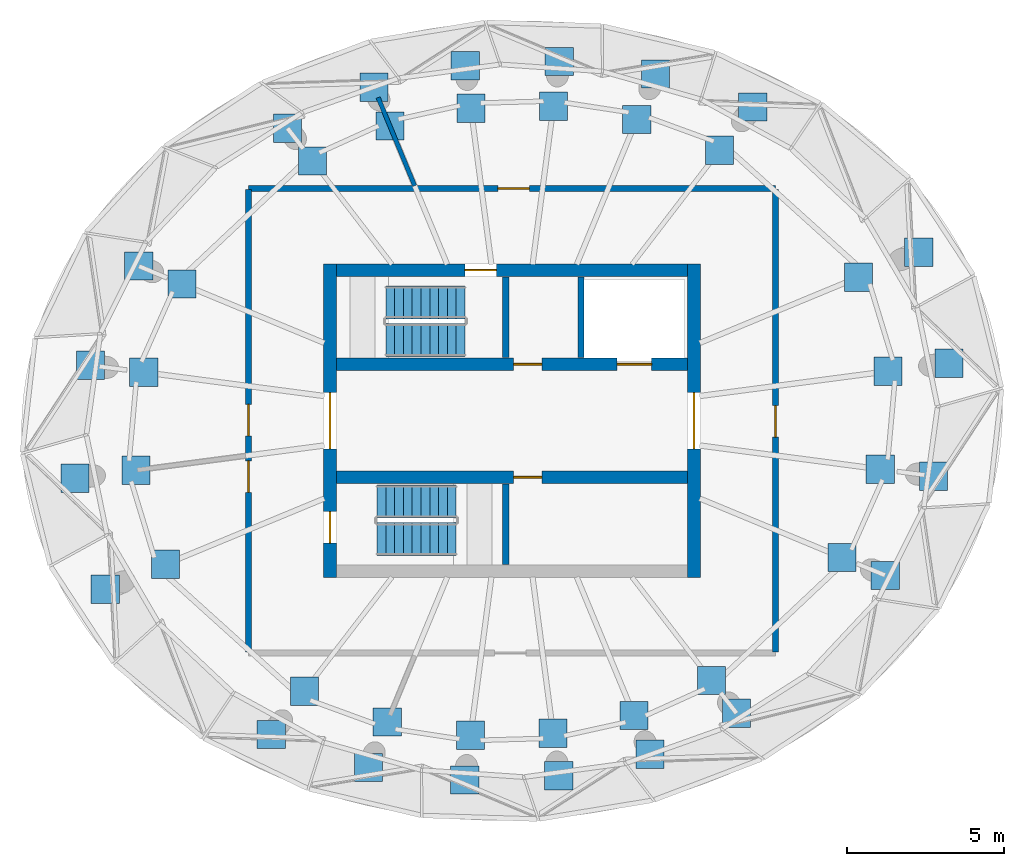
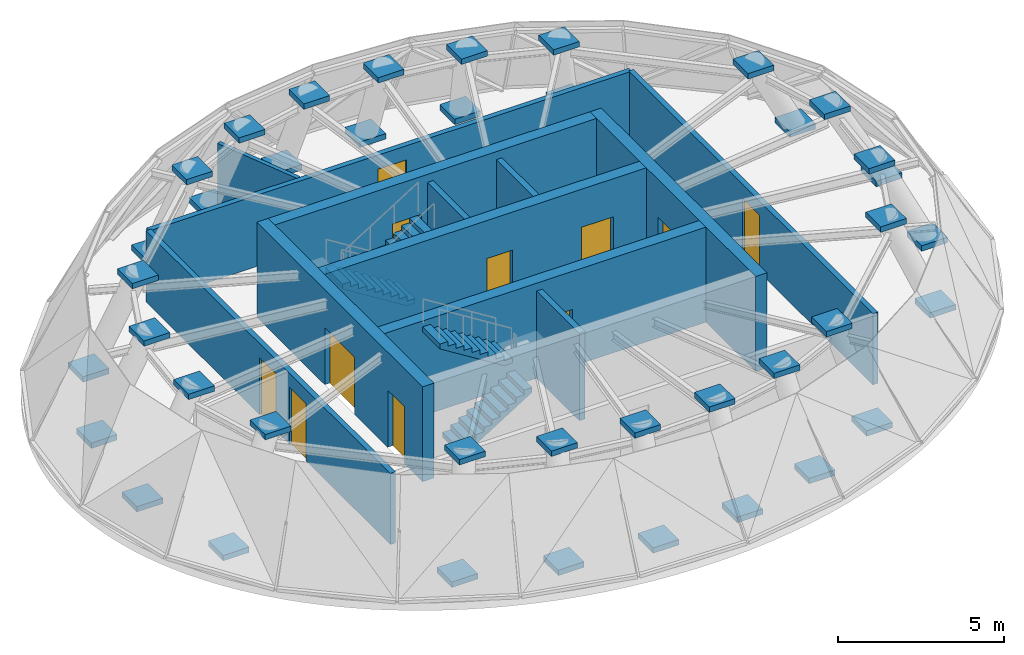
# One storey, part 7 of 8: 40 discrete accessories, 12 walls, 11 doors, 4 stair flights, 11 openings, 2 elements without a shape of their own.
"""IFC4 building model written with IfcOpenShell, lengths in metres."""

from ifc_helpers import new_model, si_unit, direction, frame, frame_2d, origin, origin_2d, place, context, subcontext, project, spatial, line, indexed_curve, rectangle, outline, extrude, source, transform, mapped, material, layer, layer_set, type_object, element, fill, aggregate, save


model = new_model("IFC4")

# Units and contexts
model_context = context("Model", 3, precision=1e-05, world=origin(), true_north=direction((0.0, 1.0)))
body_context = subcontext(model_context, "Body", "Model", "MODEL_VIEW")
ifc_project = project(units=[si_unit("LENGTHUNIT", "METRE"), si_unit("AREAUNIT", "SQUARE_METRE"), si_unit("VOLUMEUNIT", "CUBIC_METRE"), si_unit("PLANEANGLEUNIT", "RADIAN"), si_unit("MASSUNIT", "GRAM", prefix="KILO")], contexts=[model_context])

# Site, building, storey
site_placement = place(None, origin())
site = spatial("IfcSite", under=ifc_project, at=site_placement, CompositionType="ELEMENT")
building_placement = place(site_placement, origin())
building = spatial("IfcBuilding", under=site, at=building_placement, Name="Spindrift Exchange Tower", CompositionType="ELEMENT")
storey_placement = place(building_placement, frame((0.0, 0.0, 280.10009765625)))
storey = spatial("IfcBuildingStorey", under=building, at=storey_placement, Name="L69", CompositionType="ELEMENT", Elevation=280.10009765625)

# Wall, opening, door
ifc_material_1 = material(Name="Concrete 40 MPa", Category="concrete")
ifc_layer_1 = layer(ifc_material_1, 0.39990234375)
ifc_layer_set_1 = layer_set([ifc_layer_1], Name="RC Core Wall 400 Concrete 40 MPa")
wall_type_1 = type_object("IfcWallType", Name="RC Core Wall 400 Concrete 40 MPa", PredefinedType="SHEAR", material=ifc_layer_set_1)
wall_1_placement = place(storey_placement, frame((57.800048828125, 43.0, 0.0), z_axis=(0.0, 0.0, 1.0), x_axis=(0.0, 1.0, 0.0)))
wall_1 = element("IfcWall", 1, at=wall_1_placement, inside=storey, type_object=wall_type_1, Name="Core wall E L69", PredefinedType="SHEAR", context=body_context, shape_type="SweptSolid", body=[
    extrude(rectangle(XDim=10.0, YDim=0.39990234375, at=frame_2d((5.0, 0.0))), origin(), (0.0, 0.0, 1.0), 3.5),
])
opening_1_placement = place(wall_1_placement, frame((4.10009765625, 0.0, 0.0)))
opening_1 = element("IfcOpeningElement", 2, at=opening_1_placement, cuts=wall_1, Name="Opening L69-D2", PredefinedType="OPENING", context=body_context, shape_type="SweptSolid", body=[
    extrude(rectangle(XDim=1.800048828125, YDim=2.10009765625, at=frame_2d((0.89990234375, 1.050048828125))), frame((0.0, 0.2099609375, 0.0), z_axis=(0.0, -1.0, 0.0), x_axis=(1.0, 0.0, 0.0)), (0.0, 0.0, 1.0), 0.419921875),
])
ifc_material_2 = material(Name="Timber-core fire door", Category="wood")
door_type_1 = type_object("IfcDoorType", Name="DR-LOBBY-1800", OperationType="NOTDEFINED", PredefinedType="DOOR", material=ifc_material_2)
shared_shape_1 = source(origin(), body_context, "Body", "SweptSolid", [
    extrude(rectangle(XDim=1.800048828125, YDim=2.10009765625, at=frame_2d((0.89990234375, 1.050048828125))), frame((0.0, 0.02490234375, 0.0), z_axis=(0.0, -1.0, 0.0), x_axis=(1.0, 0.0, 0.0)), (0.0, 0.0, 1.0), 0.050048828125),
])
door_1_placement = place(opening_1_placement, origin())
door_1 = element("IfcDoor", 3, at=door_1_placement, inside=storey, type_object=door_type_1, Name="L69 Lobby door 2", OperationType="SINGLE_SWING_RIGHT", OverallHeight=2.10009765625, OverallWidth=1.800048828125, PredefinedType="DOOR", context=body_context, shape_type="MappedRepresentation", body=[
    mapped(shared_shape_1, transform((0.0, 0.0, 0.0), scale=1.0)),
])
fill(opening_1, door_1)

# Wall, openings, doors
wall_2_placement = place(storey_placement, frame((46.199951171875, 53.0, 0.0), z_axis=(0.0, 0.0, 1.0), x_axis=(0.0, -1.0, 0.0)))
wall_2 = element("IfcWall", 4, at=wall_2_placement, inside=storey, type_object=wall_type_1, Name="Core wall W L69", PredefinedType="SHEAR", context=body_context, shape_type="SweptSolid", body=[
    extrude(rectangle(XDim=10.0, YDim=0.39990234375, at=frame_2d((5.0, 0.0))), origin(), (0.0, 0.0, 1.0), 3.5),
])
opening_2_placement = place(wall_2_placement, frame((4.10009765625, 0.0, 0.0)))
opening_2 = element("IfcOpeningElement", 5, at=opening_2_placement, cuts=wall_2, Name="Opening L69-D1", PredefinedType="OPENING", context=body_context, shape_type="SweptSolid", body=[
    extrude(rectangle(XDim=1.800048828125, YDim=2.10009765625, at=frame_2d((0.89990234375, 1.050048828125))), frame((0.0, 0.2099609375, 0.0), z_axis=(0.0, -1.0, 0.0), x_axis=(1.0, 0.0, 0.0)), (0.0, 0.0, 1.0), 0.419921875),
])
opening_3_placement = place(wall_2_placement, frame((7.89990234375, 0.0, 0.0)))
opening_3 = element("IfcOpeningElement", 6, at=opening_3_placement, cuts=wall_2, Name="Opening L69-D4", PredefinedType="OPENING", context=body_context, shape_type="SweptSolid", body=[
    extrude(rectangle(XDim=1.0, YDim=2.10009765625, at=frame_2d((0.5, 1.050048828125))), frame((0.0, 0.2099609375, 0.0), z_axis=(0.0, -1.0, 0.0), x_axis=(1.0, 0.0, 0.0)), (0.0, 0.0, 1.0), 0.419921875),
])
door_2_placement = place(opening_2_placement, origin())
door_2 = element("IfcDoor", 7, at=door_2_placement, inside=storey, type_object=door_type_1, Name="L69 Lobby door 1", OperationType="SINGLE_SWING_LEFT", OverallHeight=2.10009765625, OverallWidth=1.800048828125, PredefinedType="DOOR", context=body_context, shape_type="MappedRepresentation", body=[
    mapped(shared_shape_1, transform((0.0, 0.0, 0.0), scale=1.0)),
])
fill(opening_2, door_2)
ifc_material_3 = material(Name="Steel fire door", Category="steel")
door_type_2 = type_object("IfcDoorType", Name="DR-STAIR-1000", OperationType="NOTDEFINED", PredefinedType="DOOR", material=ifc_material_3)
shared_shape_2 = source(origin(), body_context, "Body", "SweptSolid", [
    extrude(rectangle(XDim=1.0, YDim=2.10009765625, at=frame_2d((0.5, 1.050048828125))), frame((0.0, 0.02490234375, 0.0), z_axis=(0.0, -1.0, 0.0), x_axis=(1.0, 0.0, 0.0)), (0.0, 0.0, 1.0), 0.050048828125),
])
door_3_placement = place(opening_3_placement, origin())
door_3 = element("IfcDoor", 8, at=door_3_placement, inside=storey, type_object=door_type_2, Name="L69 Stair door 4", OperationType="SINGLE_SWING_RIGHT", OverallHeight=2.10009765625, OverallWidth=1.0, PredefinedType="DOOR", context=body_context, shape_type="MappedRepresentation", body=[
    mapped(shared_shape_2, transform((0.0, 0.0, 0.0), scale=1.0)),
])
fill(opening_3, door_3)

# Wall, opening, door
wall_3_placement = place(storey_placement, frame((57.60009765625, 52.800048828125, 0.0), z_axis=(0.0, 0.0, 1.0), x_axis=(-1.0, 0.0, 0.0)))
wall_3 = element("IfcWall", 9, at=wall_3_placement, inside=storey, type_object=wall_type_1, Name="Core wall N L69", PredefinedType="SHEAR", context=body_context, shape_type="SweptSolid", body=[
    extrude(rectangle(XDim=11.2001953125, YDim=0.39990234375, at=frame_2d((5.60009765625, 0.0))), origin(), (0.0, 0.0, 1.0), 3.5),
])
opening_4_placement = place(wall_3_placement, frame((6.10009765625, 0.0, 0.0)))
opening_4 = element("IfcOpeningElement", 10, at=opening_4_placement, cuts=wall_3, Name="Opening L69-D3", PredefinedType="OPENING", context=body_context, shape_type="SweptSolid", body=[
    extrude(rectangle(XDim=1.0, YDim=2.10009765625, at=frame_2d((0.5, 1.050048828125))), frame((0.0, 0.2099609375, 0.0), z_axis=(0.0, -1.0, 0.0), x_axis=(1.0, 0.0, 0.0)), (0.0, 0.0, 1.0), 0.419921875),
])
door_4_placement = place(opening_4_placement, origin())
door_4 = element("IfcDoor", 11, at=door_4_placement, inside=storey, type_object=door_type_2, Name="L69 Stair door 3", OperationType="SINGLE_SWING_LEFT", OverallHeight=2.10009765625, OverallWidth=1.0, PredefinedType="DOOR", context=body_context, shape_type="MappedRepresentation", body=[
    mapped(shared_shape_2, transform((0.0, 0.0, 0.0), scale=1.0)),
])
fill(opening_4, door_4)

# Wall, openings, doors
ifc_layer_2 = layer(ifc_material_1, 0.39990234375)
ifc_layer_set_2 = layer_set([ifc_layer_2], Name="RC Spine Wall 400 Concrete 40 MPa")
wall_type_2 = type_object("IfcWallType", Name="RC Spine Wall 400 Concrete 40 MPa", PredefinedType="SHEAR", material=ifc_layer_set_2)
wall_4_placement = place(storey_placement, frame((46.39990234375, 49.800048828125, 0.0), z_axis=(0.0, 0.0, 1.0), x_axis=(1.0, 0.0, 0.0)))
wall_4 = element("IfcWall", 12, at=wall_4_placement, inside=storey, type_object=wall_type_2, Name="Core spine wall N L69", PredefinedType="SHEAR", context=body_context, shape_type="SweptSolid", body=[
    extrude(rectangle(XDim=11.2001953125, YDim=0.39990234375, at=frame_2d((5.60009765625, 0.0))), origin(), (0.0, 0.0, 1.0), 3.5),
])
opening_5_placement = place(wall_4_placement, frame((8.949951171875, 0.0, 0.0)))
opening_5 = element("IfcOpeningElement", 13, at=opening_5_placement, cuts=wall_4, Name="Opening L69-D5", PredefinedType="OPENING", context=body_context, shape_type="SweptSolid", body=[
    extrude(rectangle(XDim=1.10009765625, YDim=2.10009765625, at=frame_2d((0.550048828125, 1.050048828125))), frame((0.0, 0.2099609375, 0.0), z_axis=(0.0, -1.0, 0.0), x_axis=(1.0, 0.0, 0.0)), (0.0, 0.0, 1.0), 0.419921875),
])
opening_6_placement = place(wall_4_placement, frame((5.64990234375, 0.0, 0.0)))
opening_6 = element("IfcOpeningElement", 14, at=opening_6_placement, cuts=wall_4, Name="Opening L69-D11", PredefinedType="OPENING", context=body_context, shape_type="SweptSolid", body=[
    extrude(rectangle(XDim=0.89990234375, YDim=2.10009765625, at=frame_2d((0.449951171875, 1.050048828125))), frame((0.0, 0.2099609375, 0.0), z_axis=(0.0, -1.0, 0.0), x_axis=(1.0, 0.0, 0.0)), (0.0, 0.0, 1.0), 0.419921875),
])
ifc_material_4 = material(Name="Stainless steel landing door", Category="steel")
door_type_3 = type_object("IfcDoorType", Name="DR-LANDING-1100-SL", OperationType="DOUBLE_DOOR_SLIDING", PredefinedType="USERDEFINED", material=ifc_material_4)
shared_shape_3 = source(origin(), body_context, "Body", "SweptSolid", [
    extrude(rectangle(XDim=1.10009765625, YDim=2.10009765625, at=frame_2d((0.550048828125, 1.050048828125))), frame((0.0, 0.02490234375, 0.0), z_axis=(0.0, -1.0, 0.0), x_axis=(1.0, 0.0, 0.0)), (0.0, 0.0, 1.0), 0.050048828125),
])
door_5_placement = place(opening_5_placement, origin())
door_5 = element("IfcDoor", 15, at=door_5_placement, inside=storey, type_object=door_type_3, Name="L69 Lift landing door 5", ObjectType="LANDING DOOR", OperationType="DOUBLE_DOOR_SLIDING", OverallHeight=2.10009765625, OverallWidth=1.10009765625, PredefinedType="USERDEFINED", context=body_context, shape_type="MappedRepresentation", body=[
    mapped(shared_shape_3, transform((0.0, 0.0, 0.0), scale=1.0)),
])
fill(opening_5, door_5)
ifc_material_5 = material(Name="Steel access door", Category="steel")
door_type_4 = type_object("IfcDoorType", Name="DR-RISER-900", OperationType="NOTDEFINED", PredefinedType="DOOR", material=ifc_material_5)
shared_shape_4 = source(origin(), body_context, "Body", "SweptSolid", [
    extrude(rectangle(XDim=0.89990234375, YDim=2.10009765625, at=frame_2d((0.449951171875, 1.050048828125))), frame((0.0, 0.02490234375, 0.0), z_axis=(0.0, -1.0, 0.0), x_axis=(1.0, 0.0, 0.0)), (0.0, 0.0, 1.0), 0.050048828125),
])
door_6_placement = place(opening_6_placement, origin())
door_6 = element("IfcDoor", 16, at=door_6_placement, inside=storey, type_object=door_type_4, Name="L69 Riser door 11", OperationType="SINGLE_SWING_RIGHT", OverallHeight=2.10009765625, OverallWidth=0.89990234375, PredefinedType="DOOR", context=body_context, shape_type="MappedRepresentation", body=[
    mapped(shared_shape_4, transform((0.0, 0.0, 0.0), scale=1.0)),
])
fill(opening_6, door_6)

# Wall, opening, door
wall_5_placement = place(storey_placement, frame((46.39990234375, 46.199951171875, 0.0), z_axis=(0.0, 0.0, 1.0), x_axis=(1.0, 0.0, 0.0)))
wall_5 = element("IfcWall", 17, at=wall_5_placement, inside=storey, type_object=wall_type_2, Name="Core spine wall S L69", PredefinedType="SHEAR", context=body_context, shape_type="SweptSolid", body=[
    extrude(rectangle(XDim=11.2001953125, YDim=0.39990234375, at=frame_2d((5.60009765625, 0.0))), origin(), (0.0, 0.0, 1.0), 3.5),
])
opening_7_placement = place(wall_5_placement, frame((5.64990234375, 0.0, 0.0)))
opening_7 = element("IfcOpeningElement", 18, at=opening_7_placement, cuts=wall_5, Name="Opening L69-D12", PredefinedType="OPENING", context=body_context, shape_type="SweptSolid", body=[
    extrude(rectangle(XDim=0.89990234375, YDim=2.10009765625, at=frame_2d((0.449951171875, 1.050048828125))), frame((0.0, 0.2099609375, 0.0), z_axis=(0.0, -1.0, 0.0), x_axis=(1.0, 0.0, 0.0)), (0.0, 0.0, 1.0), 0.419921875),
])
door_7_placement = place(opening_7_placement, origin())
door_7 = element("IfcDoor", 19, at=door_7_placement, inside=storey, type_object=door_type_4, Name="L69 Riser door 12", OperationType="SINGLE_SWING_LEFT", OverallHeight=2.10009765625, OverallWidth=0.89990234375, PredefinedType="DOOR", context=body_context, shape_type="MappedRepresentation", body=[
    mapped(shared_shape_4, transform((0.0, 0.0, 0.0), scale=1.0)),
])
fill(opening_7, door_7)

# Wall
ifc_material_6 = material(Name="Fire-rated plasterboard partition", Category="gypsum")
ifc_layer_3 = layer(ifc_material_6, 0.139892578125)
ifc_layer_set_3 = layer_set([ifc_layer_3], Name="W-PLANT-140")
wall_type_3 = type_object("IfcWallType", Name="W-PLANT-140", PredefinedType="PARTITIONING", material=ifc_layer_set_3)
wall_6_placement = place(storey_placement, frame((48.8974609375, 55.489990234375, 0.0), z_axis=(0.0, 0.0, 1.0), x_axis=(-0.382630688808, 0.923901377844, 0.0)))
element("IfcWall", 20, at=wall_6_placement, inside=storey, type_object=wall_type_3, Name="L69 Partition wall 10", PredefinedType="PARTITIONING", context=body_context, shape_type="SweptSolid", body=[
    extrude(rectangle(XDim=3.041015625, YDim=0.139892578125, at=frame_2d((1.5205078125, 0.0))), origin(), (0.0, 0.0, 1.0), 2.619873046875),
])

# Wall, opening, door
ifc_layer_4 = layer(ifc_material_6, 0.179931640625)
ifc_layer_set_4 = layer_set([ifc_layer_4], Name="W-PLANT-180")
wall_type_4 = type_object("IfcWallType", Name="W-PLANT-180", PredefinedType="PARTITIONING", material=ifc_layer_set_4)
wall_7_placement = place(storey_placement, frame((43.60009765625, 55.39990234375, 0.0), z_axis=(0.0, 0.0, 1.0), x_axis=(1.0, 0.0, 0.0)))
wall_7 = element("IfcWall", 21, at=wall_7_placement, inside=storey, type_object=wall_type_4, Name="L69 Partition wall 4", PredefinedType="PARTITIONING", context=body_context, shape_type="SweptSolid", body=[
    extrude(rectangle(XDim=16.7998046875, YDim=0.179931640625, at=frame_2d((8.39990234375, 0.0))), origin(), (0.0, 0.0, 1.0), 2.619873046875),
])
opening_8_placement = place(wall_7_placement, frame((7.949951171875, 0.0, 0.0)))
opening_8 = element("IfcOpeningElement", 22, at=opening_8_placement, cuts=wall_7, Name="Opening L69-D8", PredefinedType="OPENING", context=body_context, shape_type="SweptSolid", body=[
    extrude(rectangle(XDim=1.0, YDim=2.10009765625, at=frame_2d((0.5, 1.050048828125))), frame((0.0, 0.099853515625, 0.0), z_axis=(0.0, -1.0, 0.0), x_axis=(1.0, 0.0, 0.0)), (0.0, 0.0, 1.0), 0.199951171875),
])
door_type_5 = type_object("IfcDoorType", Name="DR-ROOM-1000", OperationType="NOTDEFINED", PredefinedType="DOOR", material=ifc_material_2)
shared_shape_5 = source(origin(), body_context, "Body", "SweptSolid", [
    extrude(rectangle(XDim=1.0, YDim=2.10009765625, at=frame_2d((0.5, 1.050048828125))), frame((0.0, 0.02490234375, 0.0), z_axis=(0.0, -1.0, 0.0), x_axis=(1.0, 0.0, 0.0)), (0.0, 0.0, 1.0), 0.050048828125),
])
door_8_placement = place(opening_8_placement, origin())
door_8 = element("IfcDoor", 23, at=door_8_placement, inside=storey, type_object=door_type_5, Name="L69 Door 8", OperationType="SINGLE_SWING_LEFT", OverallHeight=2.10009765625, OverallWidth=1.0, PredefinedType="DOOR", context=body_context, shape_type="MappedRepresentation", body=[
    mapped(shared_shape_5, transform((0.0, 0.0, 0.0), scale=1.0)),
])
fill(opening_8, door_8)

wall_8_placement = place(storey_placement, frame((60.39990234375, 55.3701171875, 0.0), z_axis=(0.0, 0.0, 1.0), x_axis=(0.0, -1.0, 0.0)))
wall_8 = element("IfcWall", 24, at=wall_8_placement, inside=storey, type_object=wall_type_4, Name="L69 Partition wall 6", PredefinedType="PARTITIONING", context=body_context, shape_type="SweptSolid", body=[
    extrude(rectangle(XDim=14.740234375, YDim=0.179931640625, at=frame_2d((7.3701171875, 0.0))), origin(), (0.0, 0.0, 1.0), 2.619873046875),
])
opening_9_placement = place(wall_8_placement, frame((6.889892578125, 0.0, 0.0)))
opening_9 = element("IfcOpeningElement", 25, at=opening_9_placement, cuts=wall_8, Name="Opening L69-D7", PredefinedType="OPENING", context=body_context, shape_type="SweptSolid", body=[
    extrude(rectangle(XDim=1.0, YDim=2.10009765625, at=frame_2d((0.5, 1.050048828125))), frame((0.0, 0.099853515625, 0.0), z_axis=(0.0, -1.0, 0.0), x_axis=(1.0, 0.0, 0.0)), (0.0, 0.0, 1.0), 0.199951171875),
])
door_9_placement = place(opening_9_placement, origin())
door_9 = element("IfcDoor", 26, at=door_9_placement, inside=storey, type_object=door_type_5, Name="L69 Door 7", OperationType="SINGLE_SWING_RIGHT", OverallHeight=2.10009765625, OverallWidth=1.0, PredefinedType="DOOR", context=body_context, shape_type="MappedRepresentation", body=[
    mapped(shared_shape_5, transform((0.0, 0.0, 0.0), scale=1.0)),
])
fill(opening_9, door_9)

# Wall, openings, doors
wall_9_placement = place(storey_placement, frame((43.60009765625, 40.6298828125, 0.0), z_axis=(0.0, 0.0, 1.0), x_axis=(0.0, 1.0, 0.0)))
wall_9 = element("IfcWall", 27, at=wall_9_placement, inside=storey, type_object=wall_type_4, Name="L69 Partition wall 7", PredefinedType="PARTITIONING", context=body_context, shape_type="SweptSolid", body=[
    extrude(rectangle(XDim=14.740234375, YDim=0.179931640625, at=frame_2d((7.3701171875, 0.0))), origin(), (0.0, 0.0, 1.0), 2.619873046875),
])
opening_10_placement = place(wall_9_placement, frame((6.889892578125, 0.0, 0.0)))
opening_10 = element("IfcOpeningElement", 28, at=opening_10_placement, cuts=wall_9, Name="Opening L69-D9", PredefinedType="OPENING", context=body_context, shape_type="SweptSolid", body=[
    extrude(rectangle(XDim=1.0, YDim=2.10009765625, at=frame_2d((0.5, 1.050048828125))), frame((0.0, 0.099853515625, 0.0), z_axis=(0.0, -1.0, 0.0), x_axis=(1.0, 0.0, 0.0)), (0.0, 0.0, 1.0), 0.199951171875),
])
opening_11_placement = place(wall_9_placement, frame((5.090087890625, 0.0, 0.0)))
opening_11 = element("IfcOpeningElement", 29, at=opening_11_placement, cuts=wall_9, Name="Opening L69-D10", PredefinedType="OPENING", context=body_context, shape_type="SweptSolid", body=[
    extrude(rectangle(XDim=1.0, YDim=2.10009765625, at=frame_2d((0.5, 1.050048828125))), frame((0.0, 0.099853515625, 0.0), z_axis=(0.0, -1.0, 0.0), x_axis=(1.0, 0.0, 0.0)), (0.0, 0.0, 1.0), 0.199951171875),
])
door_10_placement = place(opening_10_placement, origin())
door_10 = element("IfcDoor", 30, at=door_10_placement, inside=storey, type_object=door_type_5, Name="L69 Door 9", OperationType="SINGLE_SWING_RIGHT", OverallHeight=2.10009765625, OverallWidth=1.0, PredefinedType="DOOR", context=body_context, shape_type="MappedRepresentation", body=[
    mapped(shared_shape_5, transform((0.0, 0.0, 0.0), scale=1.0)),
])
fill(opening_10, door_10)
door_11_placement = place(opening_11_placement, origin())
door_11 = element("IfcDoor", 31, at=door_11_placement, inside=storey, type_object=door_type_5, Name="L69 Door 10", OperationType="SINGLE_SWING_LEFT", OverallHeight=2.10009765625, OverallWidth=1.0, PredefinedType="DOOR", context=body_context, shape_type="MappedRepresentation", body=[
    mapped(shared_shape_5, transform((0.0, 0.0, 0.0), scale=1.0)),
])
fill(opening_11, door_11)

# Walls
ifc_layer_5 = layer(ifc_material_1, 0.199951171875)
ifc_layer_set_5 = layer_set([ifc_layer_5], Name="W-SHAFT-200")
wall_type_5 = type_object("IfcWallType", Name="W-SHAFT-200", PredefinedType="SOLIDWALL", material=ifc_layer_set_5)
wall_10_placement = place(storey_placement, frame((54.199951171875, 52.580078125, 0.0), z_axis=(0.0, 0.0, 1.0), x_axis=(0.0, -1.0, 0.0)))
element("IfcWall", 32, at=wall_10_placement, inside=storey, type_object=wall_type_5, Name="L69 Shaft wall 3", PredefinedType="SOLIDWALL", context=body_context, shape_type="SweptSolid", body=[
    extrude(rectangle(XDim=2.570068359375, YDim=0.199951171875, at=frame_2d((1.28515625, 0.0))), origin(), (0.0, 0.0, 1.0), 3.219970703125),
])
ifc_layer_6 = layer(ifc_material_1, 0.199951171875)
ifc_layer_set_6 = layer_set([ifc_layer_6], Name="W-SHAFT-200-LB")
wall_type_6 = type_object("IfcWallType", Name="W-SHAFT-200-LB", PredefinedType="SOLIDWALL", material=ifc_layer_set_6)
for number, where, z_axis, x_axis, name in (
    (33, (51.800048828125, 43.419921875, 0.0), (0.0, 0.0, 1.0), (0.0, 1.0, 0.0), "L69 Shaft wall 1"),
    (34, (51.800048828125, 50.010009765625, 0.0), (0.0, 0.0, 1.0), (0.0, 1.0, 0.0), "L69 Shaft wall 2"),
):
    element("IfcWall", number, at=place(storey_placement, frame(where, z_axis=z_axis, x_axis=x_axis)), inside=storey, type_object=wall_type_6, Name=name, PredefinedType="SOLIDWALL", context=body_context, shape_type="SweptSolid", body=[
        extrude(rectangle(XDim=2.570068359375, YDim=0.199951171875, at=frame_2d((1.28515625, 0.0))), origin(), (0.0, 0.0, 1.0), 3.219970703125),
    ])

# Stair, stair flights
ifc_material_7 = material(Name="Concrete 50 MPa", Category="concrete")
stair_type = type_object("IfcStairType", Name="ST-1050-R175", PredefinedType="HALF_TURN_STAIR", material=ifc_material_7)
stair_1_placement = place(storey_placement, origin())
stair_1 = element("IfcStair", 35, at=stair_1_placement, inside=storey, type_object=stair_type, Name="L69 Exit stair ST3", PredefinedType="HALF_TURN_STAIR")
stair_flight_type = type_object("IfcStairFlightType", Name="STF-1050-R175", PredefinedType="STRAIGHT", material=ifc_material_7)
stair_flight_1_placement = place(storey_placement, frame((50.5, 51.77490234375, 0.0), z_axis=(0.0, 0.0, 1.0), x_axis=(-1.0, 0.0, 0.0)))
stair_flight_1 = element("IfcStairFlight", 36, at=stair_flight_1_placement, type_object=stair_flight_type, Name="ST3 flight 1", NumberOfRisers=10, NumberOfTreads=9, PredefinedType="STRAIGHT", RiserHeight=0.175, TreadLength=0.28, context=body_context, shape_type="SweptSolid", body=[
    extrude(outline(indexed_curve([(0.0, 0.0), (0.0, 0.1748046875), (0.2802734375, 0.1748046875), (0.2802734375, 0.349609375), (0.5595703125, 0.349609375), (0.5595703125, 0.525390625), (0.83984375, 0.525390625), (0.83984375, 0.7001953125), (1.1201171875, 0.7001953125), (1.1201171875, 0.875), (1.400390625, 0.875), (1.400390625, 1.0498046875), (1.6796875, 1.0498046875), (1.6796875, 1.224609375), (1.9599609375, 1.224609375), (1.9599609375, 1.400390625), (2.240234375, 1.400390625), (2.240234375, 1.5751953125), (2.51953125, 1.5751953125), (2.51953125, 1.75), (2.51953125, 1.3984375), (0.283203125, 0.0)], segments=[line(1, 2, 3, 4, 5, 6, 7, 8, 9, 10, 11, 12, 13, 14, 15, 16, 17, 18, 19, 20, 21, 22, 1)], self_intersect=False)), frame((0.0, 0.52490234375, 0.0), z_axis=(0.0, -1.0, 0.0), x_axis=(1.0, 0.0, 0.0)), (0.0, 0.0, 1.0), 1.050048828125),
])
stair_flight_2_placement = place(storey_placement, frame((47.97998046875, 50.574951171875, 1.75), z_axis=(0.0, 0.0, 1.0), x_axis=(1.0, 0.0, 0.0)))
stair_flight_2 = element("IfcStairFlight", 37, at=stair_flight_2_placement, type_object=stair_flight_type, Name="ST3 flight 2", NumberOfRisers=10, NumberOfTreads=9, PredefinedType="STRAIGHT", RiserHeight=0.175, TreadLength=0.28, context=body_context, shape_type="SweptSolid", body=[
    extrude(outline(indexed_curve([(0.0, 0.0), (0.0, 0.1748046875), (0.2802734375, 0.1748046875), (0.2802734375, 0.349609375), (0.5595703125, 0.349609375), (0.5595703125, 0.525390625), (0.83984375, 0.525390625), (0.83984375, 0.7001953125), (1.1201171875, 0.7001953125), (1.1201171875, 0.875), (1.400390625, 0.875), (1.400390625, 1.0498046875), (1.6796875, 1.0498046875), (1.6796875, 1.224609375), (1.9599609375, 1.224609375), (1.9599609375, 1.400390625), (2.240234375, 1.400390625), (2.240234375, 1.5751953125), (2.51953125, 1.5751953125), (2.51953125, 1.75), (2.51953125, 1.3984375), (0.283203125, 0.0)], segments=[line(1, 2, 3, 4, 5, 6, 7, 8, 9, 10, 11, 12, 13, 14, 15, 16, 17, 18, 19, 20, 21, 22, 1)], self_intersect=False)), frame((0.0, 0.52490234375, 0.0), z_axis=(0.0, -1.0, 0.0), x_axis=(1.0, 0.0, 0.0)), (0.0, 0.0, 1.0), 1.050048828125),
])
aggregate(stair_1, [stair_flight_1, stair_flight_2])

stair_2_placement = place(storey_placement, origin())
stair_2 = element("IfcStair", 38, at=stair_2_placement, inside=storey, type_object=stair_type, Name="L69 Exit stair ST4", PredefinedType="HALF_TURN_STAIR")
stair_flight_3_placement = place(storey_placement, frame((47.699951171875, 44.22509765625, 0.0), z_axis=(0.0, 0.0, 1.0), x_axis=(1.0, 0.0, 0.0)))
stair_flight_3 = element("IfcStairFlight", 39, at=stair_flight_3_placement, type_object=stair_flight_type, Name="ST4 flight 1", NumberOfRisers=10, NumberOfTreads=9, PredefinedType="STRAIGHT", RiserHeight=0.175, TreadLength=0.28, context=body_context, shape_type="SweptSolid", body=[
    extrude(outline(indexed_curve([(0.0, 0.0), (0.0, 0.1748046875), (0.2802734375, 0.1748046875), (0.2802734375, 0.349609375), (0.5595703125, 0.349609375), (0.5595703125, 0.525390625), (0.83984375, 0.525390625), (0.83984375, 0.7001953125), (1.1201171875, 0.7001953125), (1.1201171875, 0.875), (1.400390625, 0.875), (1.400390625, 1.0498046875), (1.6796875, 1.0498046875), (1.6796875, 1.224609375), (1.9599609375, 1.224609375), (1.9599609375, 1.400390625), (2.240234375, 1.400390625), (2.240234375, 1.5751953125), (2.51953125, 1.5751953125), (2.51953125, 1.75), (2.51953125, 1.3984375), (0.283203125, 0.0)], segments=[line(1, 2, 3, 4, 5, 6, 7, 8, 9, 10, 11, 12, 13, 14, 15, 16, 17, 18, 19, 20, 21, 22, 1)], self_intersect=False)), frame((0.0, 0.52490234375, 0.0), z_axis=(0.0, -1.0, 0.0), x_axis=(1.0, 0.0, 0.0)), (0.0, 0.0, 1.0), 1.050048828125),
])
stair_flight_4_placement = place(storey_placement, frame((50.219970703125, 45.425048828125, 1.75), z_axis=(0.0, 0.0, 1.0), x_axis=(-1.0, 0.0, 0.0)))
stair_flight_4 = element("IfcStairFlight", 40, at=stair_flight_4_placement, type_object=stair_flight_type, Name="ST4 flight 2", NumberOfRisers=10, NumberOfTreads=9, PredefinedType="STRAIGHT", RiserHeight=0.175, TreadLength=0.28, context=body_context, shape_type="SweptSolid", body=[
    extrude(outline(indexed_curve([(0.0, 0.0), (0.0, 0.1748046875), (0.2802734375, 0.1748046875), (0.2802734375, 0.349609375), (0.5595703125, 0.349609375), (0.5595703125, 0.525390625), (0.83984375, 0.525390625), (0.83984375, 0.7001953125), (1.1201171875, 0.7001953125), (1.1201171875, 0.875), (1.400390625, 0.875), (1.400390625, 1.0498046875), (1.6796875, 1.0498046875), (1.6796875, 1.224609375), (1.9599609375, 1.224609375), (1.9599609375, 1.400390625), (2.240234375, 1.400390625), (2.240234375, 1.5751953125), (2.51953125, 1.5751953125), (2.51953125, 1.75), (2.51953125, 1.3984375), (0.283203125, 0.0)], segments=[line(1, 2, 3, 4, 5, 6, 7, 8, 9, 10, 11, 12, 13, 14, 15, 16, 17, 18, 19, 20, 21, 22, 1)], self_intersect=False)), frame((0.0, 0.52490234375, 0.0), z_axis=(0.0, -1.0, 0.0), x_axis=(1.0, 0.0, 0.0)), (0.0, 0.0, 1.0), 1.050048828125),
])
aggregate(stair_2, [stair_flight_3, stair_flight_4])

# Discrete accessories
ifc_material_8 = material(Name="Steel Grade 350", Category="steel")
ifc_layer_7 = layer(ifc_material_8, 0.89990234375)
ifc_layer_set_7 = layer_set([ifc_layer_7], Name="Bearing shoe 900x900x200 Steel Grade 350")
discrete_accessory_type = type_object("IfcDiscreteAccessoryType", Name="Bearing shoe 900x900x200 Steel Grade 350", PredefinedType="USERDEFINED", material=ifc_layer_set_7)
shared_shape_6 = source(origin(), body_context, "Body", "SweptSolid", [
    extrude(rectangle(XDim=0.89990234375, YDim=0.89990234375, at=origin_2d()), origin(), (0.0, 0.0, 1.0), 0.199951171875),
])
for number, where, z_axis, x_axis, name in (
    (41, (65.929443359375, 49.833984375, 0.17431640625), (0.0, 0.0, 1.0), (1.0, 0.0, 0.0), "L69 bearing shoe 01 foot"),
    (42, (63.980224609375, 49.5771484375, 3.47412109375), (0.0, 0.0, 1.0), (1.0, 0.0, 0.0), "L69 bearing shoe 01 head"),
    (43, (64.965087890625, 53.370361328125, 0.181640625), (0.0, 0.0, 1.0), (1.0, 0.0, 0.0), "L69 bearing shoe 02 foot"),
    (44, (63.047119140625, 52.57568359375, 3.4814453125), (0.0, 0.0, 1.0), (1.0, 0.0, 0.0), "L69 bearing shoe 02 head"),
    (45, (59.671875, 57.998046875, 0.15869140625), (0.0, 0.0, 1.0), (1.0, 0.0, 0.0), "L69 bearing shoe 04 foot"),
    (46, (58.61328125, 56.618896484375, 3.45849609375), (0.0, 0.0, 1.0), (1.0, 0.0, 0.0), "L69 bearing shoe 04 head"),
    (47, (56.57568359375, 59.047119140625, 0.1455078125), (0.0, 0.0, 1.0), (1.0, 0.0, 0.0), "L69 bearing shoe 05 foot"),
    (48, (55.977294921875, 57.601806640625, 3.44580078125), (0.0, 0.0, 1.0), (1.0, 0.0, 0.0), "L69 bearing shoe 05 head"),
    (49, (53.50732421875, 59.4501953125, 0.13623046875), (0.0, 0.0, 1.0), (1.0, 0.0, 0.0), "L69 bearing shoe 06 foot"),
    (50, (53.319580078125, 58.023193359375, 3.43603515625), (0.0, 0.0, 1.0), (1.0, 0.0, 0.0), "L69 bearing shoe 06 head"),
    (51, (50.51025390625, 59.316162109375, 0.130859375), (0.0, 0.0, 1.0), (1.0, 0.0, 0.0), "L69 bearing shoe 07 foot"),
    (52, (50.689208984375, 57.9560546875, 3.4306640625), (0.0, 0.0, 1.0), (1.0, 0.0, 0.0), "L69 bearing shoe 07 head"),
    (53, (47.597900390625, 58.627685546875, 0.1279296875), (0.0, 0.0, 1.0), (1.0, 0.0, 0.0), "L69 bearing shoe 08 foot"),
    (54, (48.109619140625, 57.39208984375, 3.427734375), (0.0, 0.0, 1.0), (1.0, 0.0, 0.0), "L69 bearing shoe 08 head"),
    (55, (44.8447265625, 57.324951171875, 0.1259765625), (0.0, 0.0, 1.0), (1.0, 0.0, 0.0), "L69 bearing shoe 09 foot"),
    (56, (45.644775390625, 56.2822265625, 3.42578125), (0.0, 0.0, 1.0), (1.0, 0.0, 0.0), "L69 bearing shoe 09 head"),
    (57, (40.10205078125, 52.92822265625, 0.140625), (0.0, 0.0, 1.0), (1.0, 0.0, 0.0), "L69 bearing shoe 11 foot"),
    (58, (41.486572265625, 52.354736328125, 3.44091796875), (0.0, 0.0, 1.0), (1.0, 0.0, 0.0), "L69 bearing shoe 11 head"),
    (59, (38.5654296875, 49.768798828125, 0.1572265625), (0.0, 0.0, 1.0), (1.0, 0.0, 0.0), "L69 bearing shoe 12 foot"),
    (60, (40.26708984375, 49.544677734375, 3.45703125), (0.0, 0.0, 1.0), (1.0, 0.0, 0.0), "L69 bearing shoe 12 head"),
    (61, (38.070556640625, 46.166015625, 0.17431640625), (0.0, 0.0, 1.0), (1.0, 0.0, 0.0), "L69 bearing shoe 13 foot"),
    (62, (40.019775390625, 46.4228515625, 3.47412109375), (0.0, 0.0, 1.0), (1.0, 0.0, 0.0), "L69 bearing shoe 13 head"),
    (63, (39.034912109375, 42.629638671875, 0.181640625), (0.0, 0.0, 1.0), (1.0, 0.0, 0.0), "L69 bearing shoe 14 foot"),
    (64, (40.952880859375, 43.42431640625, 3.4814453125), (0.0, 0.0, 1.0), (1.0, 0.0, 0.0), "L69 bearing shoe 14 head"),
    (65, (44.328125, 38.001953125, 0.15869140625), (0.0, 0.0, 1.0), (1.0, 0.0, 0.0), "L69 bearing shoe 16 foot"),
    (66, (45.38671875, 39.381103515625, 3.45849609375), (0.0, 0.0, 1.0), (1.0, 0.0, 0.0), "L69 bearing shoe 16 head"),
    (67, (47.42431640625, 36.952880859375, 0.1455078125), (0.0, 0.0, 1.0), (1.0, 0.0, 0.0), "L69 bearing shoe 17 foot"),
    (68, (48.022705078125, 38.398193359375, 3.44580078125), (0.0, 0.0, 1.0), (1.0, 0.0, 0.0), "L69 bearing shoe 17 head"),
    (69, (50.49267578125, 36.5498046875, 0.13623046875), (0.0, 0.0, 1.0), (1.0, 0.0, 0.0), "L69 bearing shoe 18 foot"),
    (70, (50.680419921875, 37.976806640625, 3.43603515625), (0.0, 0.0, 1.0), (1.0, 0.0, 0.0), "L69 bearing shoe 18 head"),
    (71, (53.48974609375, 36.683837890625, 0.130859375), (0.0, 0.0, 1.0), (1.0, 0.0, 0.0), "L69 bearing shoe 19 foot"),
    (72, (53.310791015625, 38.0439453125, 3.4306640625), (0.0, 0.0, 1.0), (1.0, 0.0, 0.0), "L69 bearing shoe 19 head"),
    (73, (56.402099609375, 37.372314453125, 0.1279296875), (0.0, 0.0, 1.0), (1.0, 0.0, 0.0), "L69 bearing shoe 20 foot"),
    (74, (55.890380859375, 38.60791015625, 3.427734375), (0.0, 0.0, 1.0), (1.0, 0.0, 0.0), "L69 bearing shoe 20 head"),
    (75, (59.1552734375, 38.675048828125, 0.1259765625), (0.0, 0.0, 1.0), (1.0, 0.0, 0.0), "L69 bearing shoe 21 foot"),
    (76, (58.355224609375, 39.7177734375, 3.42578125), (0.0, 0.0, 1.0), (1.0, 0.0, 0.0), "L69 bearing shoe 21 head"),
    (77, (63.89794921875, 43.07177734375, 0.140625), (0.0, 0.0, 1.0), (1.0, 0.0, 0.0), "L69 bearing shoe 23 foot"),
    (78, (62.513427734375, 43.645263671875, 3.44091796875), (0.0, 0.0, 1.0), (1.0, 0.0, 0.0), "L69 bearing shoe 23 head"),
    (79, (65.4345703125, 46.231201171875, 0.1572265625), (0.0, 0.0, 1.0), (1.0, 0.0, 0.0), "L69 bearing shoe 24 foot"),
    (80, (63.73291015625, 46.455322265625, 3.45703125), (0.0, 0.0, 1.0), (1.0, 0.0, 0.0), "L69 bearing shoe 24 head"),
):
    element("IfcDiscreteAccessory", number, at=place(storey_placement, frame(where, z_axis=z_axis, x_axis=x_axis)), inside=storey, type_object=discrete_accessory_type, Name=name, ObjectType="Bearing shoe", PredefinedType="USERDEFINED", context=body_context, shape_type="MappedRepresentation", body=[
        mapped(shared_shape_6, transform((0.0, 0.0, 0.0), scale=1.0)),
    ])

save(model, "model.ifc")
